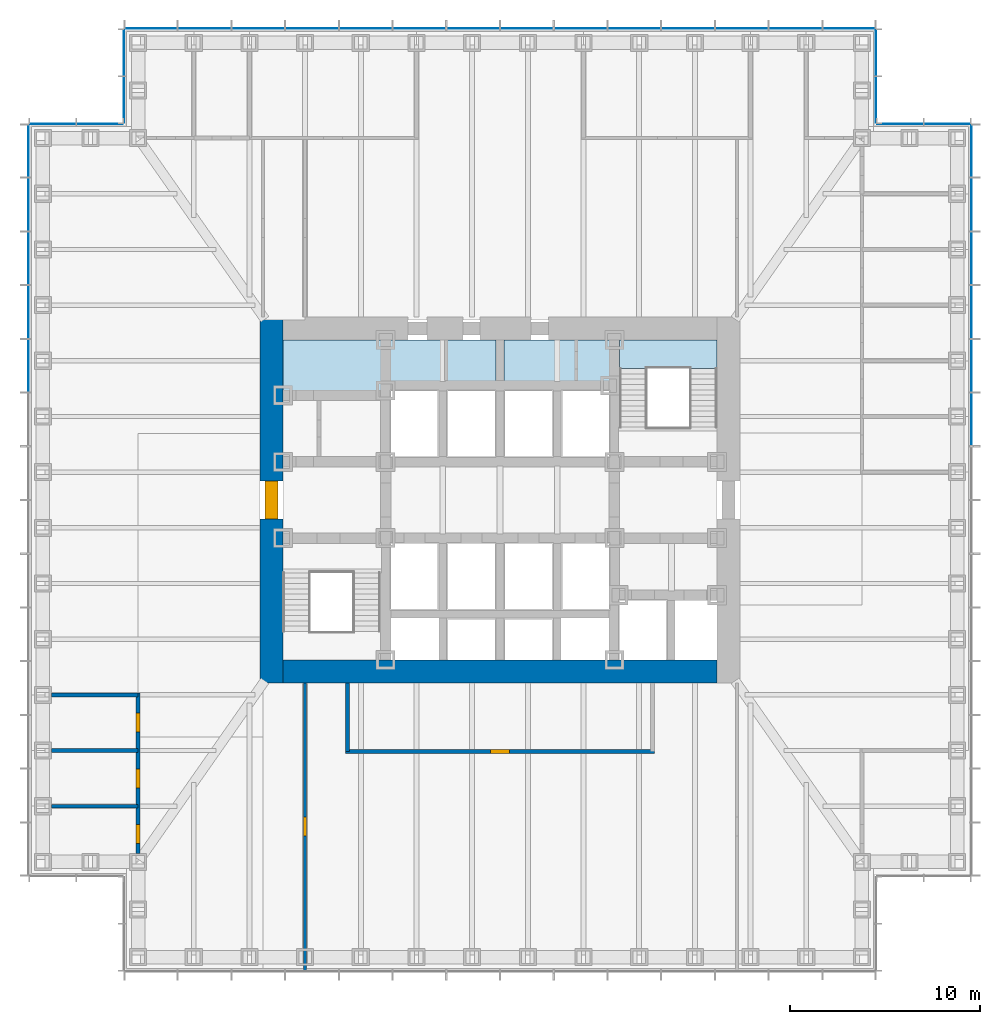
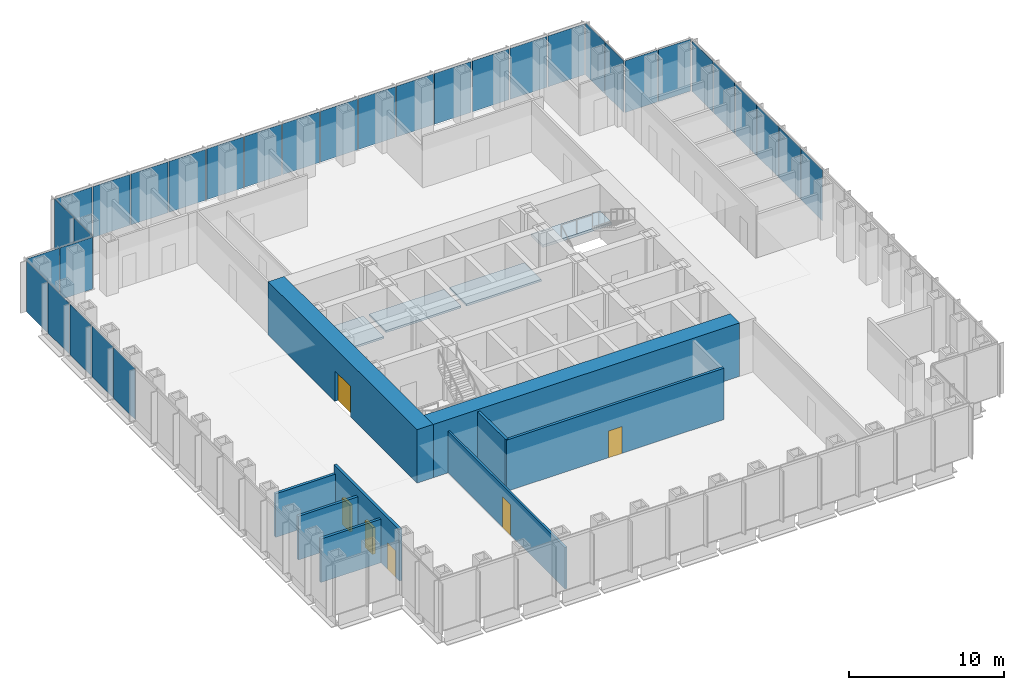
# One storey, part 8 of 17: 33 plates, 9 walls, 6 doors, 4 slabs, 6 openings, 8 elements without a shape of their own.
"""IFC4 building model written with IfcOpenShell, lengths in metres."""

import ifcopenshell
import ifcopenshell.guid

model = None  # the IFC model being written
_history = None  # IfcOwnerHistory: only IFC2X3 demands one
_inside = {}  # id of a spatial element -> (the spatial element, [elements in it])
_under = {}  # id of a project, library or spatial element -> (it, [spatial elements below it])
_declared = {}  # id of a project -> (the project, [libraries it declares])
_typed = {}  # id of a type object -> (the type object, [elements of that type])
_made_of = {}  # id of a material, layer set ... -> (it, [elements and type objects made of it])


def new_model(schema):
    """Start an empty IFC model of exactly this schema.

    Asked for "IFC4X3", IfcOpenShell would pick the latest addendum, in which some entities
    have other attributes; the version numbers below select the first issue.
    IFC2X3 requires an IfcOwnerHistory on every rooted entity: one is made here for all.
    """
    global model, _history
    if schema == "IFC4X3":
        model = ifcopenshell.file(schema_version=(4, 3, 0, 0))
    else:
        model = ifcopenshell.file(schema=schema)
    _inside.clear()
    _under.clear()
    _declared.clear()
    _typed.clear()
    _made_of.clear()
    _history = None
    if model.schema == "IFC2X3":
        org = make("IfcOrganization", Name="unknown")
        user = make(
            "IfcPersonAndOrganization",
            ThePerson=make("IfcPerson", FamilyName="unknown"),
            TheOrganization=org,
        )
        app = make(
            "IfcApplication",
            ApplicationDeveloper=org,
            Version="unknown",
            ApplicationFullName="unknown",
            ApplicationIdentifier="unknown",
        )
        _history = make(
            "IfcOwnerHistory",
            OwningUser=user,
            OwningApplication=app,
            ChangeAction="ADDED",
            CreationDate=0,
        )
    return model


def make(cls, **values):
    """One entity of the class cls with the attributes given. An attribute that is None is left unset."""
    return model.create_entity(
        cls, **{name: value for name, value in values.items() if value is not None}
    )


def rooted(cls, **values):
    """An entity with a GlobalId (a new one), such as an element, a storey or a relation."""
    return make(cls, GlobalId=ifcopenshell.guid.new(), OwnerHistory=_history, **values)


def si_unit(unit_type, name, prefix=None):
    """IfcSIUnit, for example si_unit("LENGTHUNIT", "METRE", prefix="MILLI")."""
    return make("IfcSIUnit", UnitType=unit_type, Prefix=prefix, Name=name)


def assignment(units):
    """IfcUnitAssignment: the units of a project."""
    return None if units is None else make("IfcUnitAssignment", Units=units)


def point(xyz):
    """IfcCartesianPoint."""
    return None if xyz is None else make("IfcCartesianPoint", Coordinates=xyz)


def direction(xyz):
    """IfcDirection."""
    return None if xyz is None else make("IfcDirection", DirectionRatios=xyz)


def frame(location, z_axis=None, x_axis=None):
    """IfcAxis2Placement3D, a coordinate frame: its origin and axes. An axis left out is left unset."""
    return make(
        "IfcAxis2Placement3D",
        Location=point(location),
        Axis=direction(z_axis),
        RefDirection=direction(x_axis),
    )


def frame_2d(location, x_axis=None):
    """IfcAxis2Placement2D, a coordinate frame in the plane: its origin and x axis."""
    return make(
        "IfcAxis2Placement2D", Location=point(location), RefDirection=direction(x_axis)
    )


def origin():
    """The frame at (0, 0, 0) with its axes left unset."""
    return frame((0.0, 0.0, 0.0))


def origin_2d():
    """The frame at (0, 0) in the plane with its x axis left unset."""
    return frame_2d((0.0, 0.0))


def place(relative_to, where):
    """IfcLocalPlacement: puts the frame where relative to a parent placement (None: the world)."""
    return make(
        "IfcLocalPlacement", PlacementRelTo=relative_to, RelativePlacement=where
    )


def context(
    kind, dimensions, precision=None, world=None, true_north=None, identifier=None
):
    """IfcGeometricRepresentationContext, for example the 3D "Model" context."""
    return make(
        "IfcGeometricRepresentationContext",
        ContextIdentifier=identifier,
        ContextType=kind,
        CoordinateSpaceDimension=dimensions,
        Precision=precision,
        WorldCoordinateSystem=world,
        TrueNorth=true_north,
    )


def subcontext(parent, identifier, kind, view, scale=None):
    """IfcGeometricRepresentationSubContext, for example "Body" below "Model"."""
    return make(
        "IfcGeometricRepresentationSubContext",
        ContextIdentifier=identifier,
        ContextType=kind,
        ParentContext=parent,
        TargetScale=scale,
        TargetView=view,
    )


def project(units=None, contexts=None):
    """IfcProject with its units and contexts."""
    return rooted(
        "IfcProject",
        Name="project",
        RepresentationContexts=contexts,
        UnitsInContext=assignment(units),
    )


def spatial(cls, under=None, at=None, **own):
    """A site, building, storey or space (cls), placed at a placement, below another one or the project."""
    s = rooted(cls, ObjectPlacement=at, **own)
    if under is not None:
        _under.setdefault(under.id(), (under, []))[1].append(s)
    return s


def polyline(points):
    """IfcPolyline through the points."""
    return make("IfcPolyline", Points=[point(p) for p in points])


def profile(cls, at=None, kind="AREA", **sizes):
    """A parametric profile (cls). Its sizes go by their IFC names, for example OverallWidth=200.0."""
    return make(cls, ProfileType=kind, Position=at, **sizes)


def rectangle(**sizes):
    """IfcRectangleProfileDef."""
    return profile("IfcRectangleProfileDef", **sizes)


def outline(outer, holes=None, kind="AREA"):
    """IfcArbitraryClosedProfileDef: a profile drawn as a closed curve; with holes, ...WithVoids."""
    if holes is None:
        return make("IfcArbitraryClosedProfileDef", ProfileType=kind, OuterCurve=outer)
    return make(
        "IfcArbitraryProfileDefWithVoids",
        ProfileType=kind,
        OuterCurve=outer,
        InnerCurves=holes,
    )


def extrude(swept, where, along, depth):
    """IfcExtrudedAreaSolid: the profile swept, set in the frame where, extruded along a direction by depth."""
    return make(
        "IfcExtrudedAreaSolid",
        SweptArea=swept,
        Position=where,
        ExtrudedDirection=direction(along),
        Depth=depth,
    )


def shape(context_of_items, identifier, shape_type, items):
    """IfcShapeRepresentation: the items that make up one representation, for example the "Body"."""
    return make(
        "IfcShapeRepresentation",
        ContextOfItems=context_of_items,
        RepresentationIdentifier=identifier,
        RepresentationType=shape_type,
        Items=items,
    )


def material(Name=None, Category=None):
    """IfcMaterial."""
    return make("IfcMaterial", Name=Name, Category=Category)


def layer(
    of_material, thickness, ventilated=None, Name=None, Category=None, Priority=None
):
    """IfcMaterialLayer: one layer of a wall or slab, of a material (None: an air gap)."""
    return make(
        "IfcMaterialLayer",
        Material=of_material,
        LayerThickness=thickness,
        IsVentilated=ventilated,
        Name=Name,
        Category=Category,
        Priority=Priority,
    )


def layer_set(layers, Name=None):
    """IfcMaterialLayerSet."""
    return make("IfcMaterialLayerSet", MaterialLayers=layers, LayerSetName=Name)


def made_of(thing, what):
    """Note that an element or type object is made of a material, layer set ...; save() writes the relation."""
    if what is not None:
        _made_of.setdefault(what.id(), (what, []))[1].append(thing)
    return thing


def type_object(cls, material=None, **own):
    """A type object (cls), such as IfcWallType, which elements share."""
    return made_of(rooted(cls, **own), material)


def element(
    cls,
    number,
    at=None,
    inside=None,
    cuts=None,
    type_object=None,
    material=None,
    context=None,
    identifier="Body",
    shape_type=None,
    held_by="IfcProductDefinitionShape",
    body=None,
    shapes=None,
    **own,
):
    """One element of the class cls, such as IfcWall. Its Tag is "e" and its number.

    at: its placement. inside: the storey or other place that contains it. cuts: it is an
    opening in that element (IfcRelVoidsElement). A single representation is given by context,
    identifier, shape_type and body (its items); several are given by shapes. held_by: the class
    of the entity that holds the representations. save() writes the other relations.
    """
    e = rooted(cls, Tag="e%d" % number, ObjectPlacement=at, **own)
    if body is not None:
        shapes = [shape(context, identifier, shape_type, body)]
    if shapes is not None:
        e.Representation = make(held_by, Representations=shapes)
    if inside is not None:
        _inside.setdefault(inside.id(), (inside, []))[1].append(e)
    if cuts is not None:
        rooted(
            "IfcRelVoidsElement", RelatingBuildingElement=cuts, RelatedOpeningElement=e
        )
    if type_object is not None:
        _typed.setdefault(type_object.id(), (type_object, []))[1].append(e)
    return made_of(e, material)


def fill(opening, filler):
    """IfcRelFillsElement: the door or window that sits in an opening."""
    return rooted(
        "IfcRelFillsElement",
        RelatingOpeningElement=opening,
        RelatedBuildingElement=filler,
    )


def aggregate(whole, parts):
    """IfcRelAggregates: a whole, such as a stair, and the parts it consists of."""
    return rooted("IfcRelAggregates", RelatingObject=whole, RelatedObjects=parts)


def save(model, path):
    """Write the relations noted so far, then the file.

    IfcRelAggregates (storeys below a building ...), IfcRelContainedInSpatialStructure (elements
    in a storey), IfcRelDefinesByType, IfcRelAssociatesMaterial and IfcRelDeclares: one each for
    every whole, place, type object, material and project.
    """
    for whole, parts in _under.values():
        aggregate(whole, parts)
    for where, things in _inside.values():
        rooted(
            "IfcRelContainedInSpatialStructure",
            RelatedElements=things,
            RelatingStructure=where,
        )
    for kind, things in _typed.values():
        rooted("IfcRelDefinesByType", RelatedObjects=things, RelatingType=kind)
    for what, things in _made_of.values():
        rooted("IfcRelAssociatesMaterial", RelatedObjects=things, RelatingMaterial=what)
    for by, libraries in _declared.values():
        rooted("IfcRelDeclares", RelatingContext=by, RelatedDefinitions=libraries)
    model.write(path)


model = new_model("IFC4")

# Units and contexts
model_context = context("Model", 3, precision=1e-05, world=origin(), true_north=direction((0.0, 1.0)))
body_context = subcontext(model_context, "Body", "Model", "MODEL_VIEW")
ifc_project = project(units=[si_unit("LENGTHUNIT", "METRE"), si_unit("AREAUNIT", "SQUARE_METRE"), si_unit("VOLUMEUNIT", "CUBIC_METRE"), si_unit("PLANEANGLEUNIT", "RADIAN"), si_unit("MASSUNIT", "GRAM", prefix="KILO")], contexts=[model_context])

# Site, building, storey
site_placement = place(None, origin())
site = spatial("IfcSite", under=ifc_project, at=site_placement, CompositionType="ELEMENT")
building_placement = place(site_placement, origin())
building = spatial("IfcBuilding", under=site, at=building_placement, Name="Daluyong Arena Tower", CompositionType="ELEMENT")
storey_placement = place(building_placement, frame((0.0, 0.0, 55.89990234375)))
storey = spatial("IfcBuildingStorey", under=building, at=storey_placement, Name="L11", CompositionType="ELEMENT", Elevation=55.89990234375)

# Curtain wall, plates
ifc_material_1 = material(Name="Bronze anodised aluminium and glass", Category="aluminium")
curtain_wall_type_1 = type_object("IfcCurtainWallType", Name="Curtain wall CW1", PredefinedType="USERDEFINED", material=ifc_material_1)
curtain_wall_1_placement = place(storey_placement, origin())
curtain_wall_1 = element("IfcCurtainWall", 1, at=curtain_wall_1_placement, inside=storey, type_object=curtain_wall_type_1, Name="curtain wall L11 E", ObjectType="UNITISED CURTAIN WALL", PredefinedType="USERDEFINED")
ifc_material_2 = material(Name="Tinted double glazed unit", Category="glass")
ifc_layer_1 = layer(ifc_material_2, 0.031982421875)
ifc_layer_set_1 = layer_set([ifc_layer_1], Name="Tinted double glazed unit")
plate_type_1 = type_object("IfcPlateType", Name="CW1 panel 32", PredefinedType="CURTAIN_PANEL", material=ifc_layer_set_1)
plate_1_placement = place(storey_placement, frame((80.75, 84.232177734375, 0.0), z_axis=(0.0, 0.0, 1.0), x_axis=(0.0, 1.0, 0.0)))
plate_1 = element("IfcPlate", 2, at=plate_1_placement, type_object=plate_type_1, Name="curtain wall L11 E panel 9", PredefinedType="CURTAIN_PANEL", context=body_context, shape_type="SweptSolid", body=[
    extrude(rectangle(XDim=2.741455078125, YDim=0.031982421875, at=origin_2d()), origin(), (0.0, 0.0, 1.0), 4.0),
])
plate_2_placement = place(storey_placement, frame((80.75, 87.053466796875, 0.0), z_axis=(0.0, 0.0, 1.0), x_axis=(0.0, 1.0, 0.0)))
plate_2 = element("IfcPlate", 3, at=plate_2_placement, type_object=plate_type_1, Name="curtain wall L11 E panel 10", PredefinedType="CURTAIN_PANEL", context=body_context, shape_type="SweptSolid", body=[
    extrude(rectangle(XDim=2.741455078125, YDim=0.031982421875, at=origin_2d()), origin(), (0.0, 0.0, 1.0), 4.0),
])
plate_3_placement = place(storey_placement, frame((80.75, 89.875, 0.0), z_axis=(0.0, 0.0, 1.0), x_axis=(0.0, 1.0, 0.0)))
plate_3 = element("IfcPlate", 4, at=plate_3_placement, type_object=plate_type_1, Name="curtain wall L11 E panel 11", PredefinedType="CURTAIN_PANEL", context=body_context, shape_type="SweptSolid", body=[
    extrude(rectangle(XDim=2.741455078125, YDim=0.031982421875, at=origin_2d()), origin(), (0.0, 0.0, 1.0), 4.0),
])
plate_4_placement = place(storey_placement, frame((80.75, 92.696533203125, 0.0), z_axis=(0.0, 0.0, 1.0), x_axis=(0.0, 1.0, 0.0)))
plate_4 = element("IfcPlate", 5, at=plate_4_placement, type_object=plate_type_1, Name="curtain wall L11 E panel 12", PredefinedType="CURTAIN_PANEL", context=body_context, shape_type="SweptSolid", body=[
    extrude(rectangle(XDim=2.741455078125, YDim=0.031982421875, at=origin_2d()), origin(), (0.0, 0.0, 1.0), 4.0),
])
plate_5_placement = place(storey_placement, frame((80.75, 95.517822265625, 0.0), z_axis=(0.0, 0.0, 1.0), x_axis=(0.0, 1.0, 0.0)))
plate_5 = element("IfcPlate", 6, at=plate_5_placement, type_object=plate_type_1, Name="curtain wall L11 E panel 13", PredefinedType="CURTAIN_PANEL", context=body_context, shape_type="SweptSolid", body=[
    extrude(rectangle(XDim=2.741455078125, YDim=0.031982421875, at=origin_2d()), origin(), (0.0, 0.0, 1.0), 4.0),
])
plate_6_placement = place(storey_placement, frame((80.75, 98.3193359375, 0.0), z_axis=(0.0, 0.0, 1.0), x_axis=(0.0, 1.0, 0.0)))
plate_6 = element("IfcPlate", 7, at=plate_6_placement, type_object=plate_type_1, Name="curtain wall L11 E panel 14", PredefinedType="CURTAIN_PANEL", context=body_context, shape_type="SweptSolid", body=[
    extrude(rectangle(XDim=2.701416015625, YDim=0.031982421875, at=origin_2d()), origin(), (0.0, 0.0, 1.0), 4.0),
])
aggregate(curtain_wall_1, [plate_1, plate_2, plate_3, plate_4, plate_5, plate_6])

curtain_wall_2_placement = place(storey_placement, origin())
curtain_wall_2 = element("IfcCurtainWall", 8, at=curtain_wall_2_placement, inside=storey, type_object=curtain_wall_type_1, Name="curtain wall L11 N", ObjectType="UNITISED CURTAIN WALL", PredefinedType="USERDEFINED")
plate_7_placement = place(storey_placement, frame((74.3193359375, 104.75, 0.0), z_axis=(0.0, 0.0, 1.0), x_axis=(-1.0, 0.0, 0.0)))
plate_7 = element("IfcPlate", 9, at=plate_7_placement, type_object=plate_type_1, Name="curtain wall L11 N panel 1", PredefinedType="CURTAIN_PANEL", context=body_context, shape_type="SweptSolid", body=[
    extrude(rectangle(XDim=2.701416015625, YDim=0.031982421875, at=origin_2d()), origin(), (0.0, 0.0, 1.0), 4.0),
])
plate_8_placement = place(storey_placement, frame((71.517822265625, 104.75, 0.0), z_axis=(0.0, 0.0, 1.0), x_axis=(-1.0, 0.0, 0.0)))
plate_8 = element("IfcPlate", 10, at=plate_8_placement, type_object=plate_type_1, Name="curtain wall L11 N panel 2", PredefinedType="CURTAIN_PANEL", context=body_context, shape_type="SweptSolid", body=[
    extrude(rectangle(XDim=2.741455078125, YDim=0.031982421875, at=origin_2d()), origin(), (0.0, 0.0, 1.0), 4.0),
])
plate_9_placement = place(storey_placement, frame((68.696533203125, 104.75, 0.0), z_axis=(0.0, 0.0, 1.0), x_axis=(-1.0, 0.0, 0.0)))
plate_9 = element("IfcPlate", 11, at=plate_9_placement, type_object=plate_type_1, Name="curtain wall L11 N panel 3", PredefinedType="CURTAIN_PANEL", context=body_context, shape_type="SweptSolid", body=[
    extrude(rectangle(XDim=2.741455078125, YDim=0.031982421875, at=origin_2d()), origin(), (0.0, 0.0, 1.0), 4.0),
])
plate_10_placement = place(storey_placement, frame((65.875, 104.75, 0.0), z_axis=(0.0, 0.0, 1.0), x_axis=(-1.0, 0.0, 0.0)))
plate_10 = element("IfcPlate", 12, at=plate_10_placement, type_object=plate_type_1, Name="curtain wall L11 N panel 4", PredefinedType="CURTAIN_PANEL", context=body_context, shape_type="SweptSolid", body=[
    extrude(rectangle(XDim=2.741455078125, YDim=0.031982421875, at=origin_2d()), origin(), (0.0, 0.0, 1.0), 4.0),
])
plate_11_placement = place(storey_placement, frame((63.053466796875, 104.75, 0.0), z_axis=(0.0, 0.0, 1.0), x_axis=(-1.0, 0.0, 0.0)))
plate_11 = element("IfcPlate", 13, at=plate_11_placement, type_object=plate_type_1, Name="curtain wall L11 N panel 5", PredefinedType="CURTAIN_PANEL", context=body_context, shape_type="SweptSolid", body=[
    extrude(rectangle(XDim=2.741455078125, YDim=0.031982421875, at=origin_2d()), origin(), (0.0, 0.0, 1.0), 4.0),
])
plate_12_placement = place(storey_placement, frame((60.232177734375, 104.75, 0.0), z_axis=(0.0, 0.0, 1.0), x_axis=(-1.0, 0.0, 0.0)))
plate_12 = element("IfcPlate", 14, at=plate_12_placement, type_object=plate_type_1, Name="curtain wall L11 N panel 6", PredefinedType="CURTAIN_PANEL", context=body_context, shape_type="SweptSolid", body=[
    extrude(rectangle(XDim=2.741455078125, YDim=0.031982421875, at=origin_2d()), origin(), (0.0, 0.0, 1.0), 4.0),
])
plate_13_placement = place(storey_placement, frame((57.41064453125, 104.75, 0.0), z_axis=(0.0, 0.0, 1.0), x_axis=(-1.0, 0.0, 0.0)))
plate_13 = element("IfcPlate", 15, at=plate_13_placement, type_object=plate_type_1, Name="curtain wall L11 N panel 7", PredefinedType="CURTAIN_PANEL", context=body_context, shape_type="SweptSolid", body=[
    extrude(rectangle(XDim=2.741455078125, YDim=0.031982421875, at=origin_2d()), origin(), (0.0, 0.0, 1.0), 4.0),
])
plate_14_placement = place(storey_placement, frame((54.58935546875, 104.75, 0.0), z_axis=(0.0, 0.0, 1.0), x_axis=(-1.0, 0.0, 0.0)))
plate_14 = element("IfcPlate", 16, at=plate_14_placement, type_object=plate_type_1, Name="curtain wall L11 N panel 8", PredefinedType="CURTAIN_PANEL", context=body_context, shape_type="SweptSolid", body=[
    extrude(rectangle(XDim=2.741455078125, YDim=0.031982421875, at=origin_2d()), origin(), (0.0, 0.0, 1.0), 4.0),
])
plate_15_placement = place(storey_placement, frame((51.767822265625, 104.75, 0.0), z_axis=(0.0, 0.0, 1.0), x_axis=(-1.0, 0.0, 0.0)))
plate_15 = element("IfcPlate", 17, at=plate_15_placement, type_object=plate_type_1, Name="curtain wall L11 N panel 9", PredefinedType="CURTAIN_PANEL", context=body_context, shape_type="SweptSolid", body=[
    extrude(rectangle(XDim=2.741455078125, YDim=0.031982421875, at=origin_2d()), origin(), (0.0, 0.0, 1.0), 4.0),
])
plate_16_placement = place(storey_placement, frame((48.946533203125, 104.75, 0.0), z_axis=(0.0, 0.0, 1.0), x_axis=(-1.0, 0.0, 0.0)))
plate_16 = element("IfcPlate", 18, at=plate_16_placement, type_object=plate_type_1, Name="curtain wall L11 N panel 10", PredefinedType="CURTAIN_PANEL", context=body_context, shape_type="SweptSolid", body=[
    extrude(rectangle(XDim=2.741455078125, YDim=0.031982421875, at=origin_2d()), origin(), (0.0, 0.0, 1.0), 4.0),
])
plate_17_placement = place(storey_placement, frame((46.125, 104.75, 0.0), z_axis=(0.0, 0.0, 1.0), x_axis=(-1.0, 0.0, 0.0)))
plate_17 = element("IfcPlate", 19, at=plate_17_placement, type_object=plate_type_1, Name="curtain wall L11 N panel 11", PredefinedType="CURTAIN_PANEL", context=body_context, shape_type="SweptSolid", body=[
    extrude(rectangle(XDim=2.741455078125, YDim=0.031982421875, at=origin_2d()), origin(), (0.0, 0.0, 1.0), 4.0),
])
plate_18_placement = place(storey_placement, frame((43.303466796875, 104.75, 0.0), z_axis=(0.0, 0.0, 1.0), x_axis=(-1.0, 0.0, 0.0)))
plate_18 = element("IfcPlate", 20, at=plate_18_placement, type_object=plate_type_1, Name="curtain wall L11 N panel 12", PredefinedType="CURTAIN_PANEL", context=body_context, shape_type="SweptSolid", body=[
    extrude(rectangle(XDim=2.741455078125, YDim=0.031982421875, at=origin_2d()), origin(), (0.0, 0.0, 1.0), 4.0),
])
plate_19_placement = place(storey_placement, frame((40.482177734375, 104.75, 0.0), z_axis=(0.0, 0.0, 1.0), x_axis=(-1.0, 0.0, 0.0)))
plate_19 = element("IfcPlate", 21, at=plate_19_placement, type_object=plate_type_1, Name="curtain wall L11 N panel 13", PredefinedType="CURTAIN_PANEL", context=body_context, shape_type="SweptSolid", body=[
    extrude(rectangle(XDim=2.741455078125, YDim=0.031982421875, at=origin_2d()), origin(), (0.0, 0.0, 1.0), 4.0),
])
plate_20_placement = place(storey_placement, frame((37.6806640625, 104.75, 0.0), z_axis=(0.0, 0.0, 1.0), x_axis=(-1.0, 0.0, 0.0)))
plate_20 = element("IfcPlate", 22, at=plate_20_placement, type_object=plate_type_1, Name="curtain wall L11 N panel 14", PredefinedType="CURTAIN_PANEL", context=body_context, shape_type="SweptSolid", body=[
    extrude(rectangle(XDim=2.701416015625, YDim=0.031982421875, at=origin_2d()), origin(), (0.0, 0.0, 1.0), 4.0),
])
aggregate(curtain_wall_2, [plate_7, plate_8, plate_9, plate_10, plate_11, plate_12, plate_13, plate_14, plate_15, plate_16, plate_17, plate_18, plate_19, plate_20])

curtain_wall_3_placement = place(storey_placement, origin())
curtain_wall_3 = element("IfcCurtainWall", 23, at=curtain_wall_3_placement, inside=storey, type_object=curtain_wall_type_1, Name="curtain wall L11 W", ObjectType="UNITISED CURTAIN WALL", PredefinedType="USERDEFINED")
plate_21_placement = place(storey_placement, frame((31.25, 98.3193359375, 0.0), z_axis=(0.0, 0.0, 1.0), x_axis=(0.0, -1.0, 0.0)))
plate_21 = element("IfcPlate", 24, at=plate_21_placement, type_object=plate_type_1, Name="curtain wall L11 W panel 1", PredefinedType="CURTAIN_PANEL", context=body_context, shape_type="SweptSolid", body=[
    extrude(rectangle(XDim=2.701416015625, YDim=0.031982421875, at=origin_2d()), origin(), (0.0, 0.0, 1.0), 4.0),
])
plate_22_placement = place(storey_placement, frame((31.25, 95.517822265625, 0.0), z_axis=(0.0, 0.0, 1.0), x_axis=(0.0, -1.0, 0.0)))
plate_22 = element("IfcPlate", 25, at=plate_22_placement, type_object=plate_type_1, Name="curtain wall L11 W panel 2", PredefinedType="CURTAIN_PANEL", context=body_context, shape_type="SweptSolid", body=[
    extrude(rectangle(XDim=2.741455078125, YDim=0.031982421875, at=origin_2d()), origin(), (0.0, 0.0, 1.0), 4.0),
])
plate_23_placement = place(storey_placement, frame((31.25, 92.696533203125, 0.0), z_axis=(0.0, 0.0, 1.0), x_axis=(0.0, -1.0, 0.0)))
plate_23 = element("IfcPlate", 26, at=plate_23_placement, type_object=plate_type_1, Name="curtain wall L11 W panel 3", PredefinedType="CURTAIN_PANEL", context=body_context, shape_type="SweptSolid", body=[
    extrude(rectangle(XDim=2.741455078125, YDim=0.031982421875, at=origin_2d()), origin(), (0.0, 0.0, 1.0), 4.0),
])
plate_24_placement = place(storey_placement, frame((31.25, 89.875, 0.0), z_axis=(0.0, 0.0, 1.0), x_axis=(0.0, -1.0, 0.0)))
plate_24 = element("IfcPlate", 27, at=plate_24_placement, type_object=plate_type_1, Name="curtain wall L11 W panel 4", PredefinedType="CURTAIN_PANEL", context=body_context, shape_type="SweptSolid", body=[
    extrude(rectangle(XDim=2.741455078125, YDim=0.031982421875, at=origin_2d()), origin(), (0.0, 0.0, 1.0), 4.0),
])
plate_25_placement = place(storey_placement, frame((31.25, 87.053466796875, 0.0), z_axis=(0.0, 0.0, 1.0), x_axis=(0.0, -1.0, 0.0)))
plate_25 = element("IfcPlate", 28, at=plate_25_placement, type_object=plate_type_1, Name="curtain wall L11 W panel 5", PredefinedType="CURTAIN_PANEL", context=body_context, shape_type="SweptSolid", body=[
    extrude(rectangle(XDim=2.741455078125, YDim=0.031982421875, at=origin_2d()), origin(), (0.0, 0.0, 1.0), 4.0),
])
aggregate(curtain_wall_3, [plate_21, plate_22, plate_23, plate_24, plate_25])

ifc_material_3 = material(Name="Bronze anodised aluminium and glass", Category="aluminium")
curtain_wall_type_2 = type_object("IfcCurtainWallType", Name="Curtain wall CW7", PredefinedType="USERDEFINED", material=ifc_material_3)
curtain_wall_4_placement = place(storey_placement, origin())
curtain_wall_4 = element("IfcCurtainWall", 29, at=curtain_wall_4_placement, inside=storey, type_object=curtain_wall_type_2, Name="curtain wall L11 NE-N", ObjectType="UNITISED CURTAIN WALL", PredefinedType="USERDEFINED")
ifc_material_4 = material(Name="Tinted double glazed unit", Category="glass")
ifc_layer_2 = layer(ifc_material_4, 0.028076171875)
ifc_layer_set_2 = layer_set([ifc_layer_2], Name="Tinted double glazed unit")
plate_type_2 = type_object("IfcPlateType", Name="CW7 panel 28", PredefinedType="CURTAIN_PANEL", material=ifc_layer_set_2)
plate_26_placement = place(storey_placement, frame((79.485107421875, 99.75, 0.0), z_axis=(0.0, 0.0, 1.0), x_axis=(-1.0, 0.0, 0.0)))
plate_26 = element("IfcPlate", 30, at=plate_26_placement, type_object=plate_type_2, Name="curtain wall L11 NE-N panel 1", PredefinedType="CURTAIN_PANEL", context=body_context, shape_type="SweptSolid", body=[
    extrude(rectangle(XDim=2.409912109375, YDim=0.028076171875, at=origin_2d()), origin(), (0.0, 0.0, 1.0), 4.080078125),
])
plate_27_placement = place(storey_placement, frame((77.014892578125, 99.75, 0.0), z_axis=(0.0, 0.0, 1.0), x_axis=(-1.0, 0.0, 0.0)))
plate_27 = element("IfcPlate", 31, at=plate_27_placement, type_object=plate_type_2, Name="curtain wall L11 NE-N panel 2", PredefinedType="CURTAIN_PANEL", context=body_context, shape_type="SweptSolid", body=[
    extrude(rectangle(XDim=2.409912109375, YDim=0.028076171875, at=origin_2d()), origin(), (0.0, 0.0, 1.0), 4.080078125),
])
aggregate(curtain_wall_4, [plate_26, plate_27])

curtain_wall_5_placement = place(storey_placement, origin())
curtain_wall_5 = element("IfcCurtainWall", 32, at=curtain_wall_5_placement, inside=storey, type_object=curtain_wall_type_2, Name="curtain wall L11 NE-E", ObjectType="UNITISED CURTAIN WALL", PredefinedType="USERDEFINED")
plate_28_placement = place(storey_placement, frame((75.75, 101.014892578125, 0.0), z_axis=(0.0, 0.0, 1.0), x_axis=(0.0, 1.0, 0.0)))
plate_28 = element("IfcPlate", 33, at=plate_28_placement, type_object=plate_type_2, Name="curtain wall L11 NE-E panel 1", PredefinedType="CURTAIN_PANEL", context=body_context, shape_type="SweptSolid", body=[
    extrude(rectangle(XDim=2.409912109375, YDim=0.028076171875, at=origin_2d()), origin(), (0.0, 0.0, 1.0), 4.080078125),
])
plate_29_placement = place(storey_placement, frame((75.75, 103.485107421875, 0.0), z_axis=(0.0, 0.0, 1.0), x_axis=(0.0, 1.0, 0.0)))
plate_29 = element("IfcPlate", 34, at=plate_29_placement, type_object=plate_type_2, Name="curtain wall L11 NE-E panel 2", PredefinedType="CURTAIN_PANEL", context=body_context, shape_type="SweptSolid", body=[
    extrude(rectangle(XDim=2.409912109375, YDim=0.028076171875, at=origin_2d()), origin(), (0.0, 0.0, 1.0), 4.080078125),
])
aggregate(curtain_wall_5, [plate_28, plate_29])

curtain_wall_6_placement = place(storey_placement, origin())
curtain_wall_6 = element("IfcCurtainWall", 35, at=curtain_wall_6_placement, inside=storey, type_object=curtain_wall_type_2, Name="curtain wall L11 NW-W", ObjectType="UNITISED CURTAIN WALL", PredefinedType="USERDEFINED")
plate_30_placement = place(storey_placement, frame((36.25, 103.485107421875, 0.0), z_axis=(0.0, 0.0, 1.0), x_axis=(0.0, -1.0, 0.0)))
plate_30 = element("IfcPlate", 36, at=plate_30_placement, type_object=plate_type_2, Name="curtain wall L11 NW-W panel 1", PredefinedType="CURTAIN_PANEL", context=body_context, shape_type="SweptSolid", body=[
    extrude(rectangle(XDim=2.409912109375, YDim=0.028076171875, at=origin_2d()), origin(), (0.0, 0.0, 1.0), 4.080078125),
])
plate_31_placement = place(storey_placement, frame((36.25, 101.014892578125, 0.0), z_axis=(0.0, 0.0, 1.0), x_axis=(0.0, -1.0, 0.0)))
plate_31 = element("IfcPlate", 37, at=plate_31_placement, type_object=plate_type_2, Name="curtain wall L11 NW-W panel 2", PredefinedType="CURTAIN_PANEL", context=body_context, shape_type="SweptSolid", body=[
    extrude(rectangle(XDim=2.409912109375, YDim=0.028076171875, at=origin_2d()), origin(), (0.0, 0.0, 1.0), 4.080078125),
])
aggregate(curtain_wall_6, [plate_30, plate_31])

curtain_wall_7_placement = place(storey_placement, origin())
curtain_wall_7 = element("IfcCurtainWall", 38, at=curtain_wall_7_placement, inside=storey, type_object=curtain_wall_type_2, Name="curtain wall L11 NW-N", ObjectType="UNITISED CURTAIN WALL", PredefinedType="USERDEFINED")
plate_32_placement = place(storey_placement, frame((34.985107421875, 99.75, 0.0), z_axis=(0.0, 0.0, 1.0), x_axis=(-1.0, 0.0, 0.0)))
plate_32 = element("IfcPlate", 39, at=plate_32_placement, type_object=plate_type_2, Name="curtain wall L11 NW-N panel 1", PredefinedType="CURTAIN_PANEL", context=body_context, shape_type="SweptSolid", body=[
    extrude(rectangle(XDim=2.409912109375, YDim=0.028076171875, at=origin_2d()), origin(), (0.0, 0.0, 1.0), 4.080078125),
])
plate_33_placement = place(storey_placement, frame((32.514892578125, 99.75, 0.0), z_axis=(0.0, 0.0, 1.0), x_axis=(-1.0, 0.0, 0.0)))
plate_33 = element("IfcPlate", 40, at=plate_33_placement, type_object=plate_type_2, Name="curtain wall L11 NW-N panel 2", PredefinedType="CURTAIN_PANEL", context=body_context, shape_type="SweptSolid", body=[
    extrude(rectangle(XDim=2.409912109375, YDim=0.028076171875, at=origin_2d()), origin(), (0.0, 0.0, 1.0), 4.080078125),
])
aggregate(curtain_wall_7, [plate_32, plate_33])

# Stair, slab
ifc_material_5 = material(Name="Concrete fc' 35 MPa", Category="concrete")
stair_type = type_object("IfcStairType", Name="Core exit stair", PredefinedType="HALF_TURN_STAIR", material=ifc_material_5)
stair_placement = place(storey_placement, origin())
stair = element("IfcStair", 41, at=stair_placement, inside=storey, type_object=stair_type, Name="exit stair B L11", PredefinedType="HALF_TURN_STAIR")
ifc_material_6 = material(Name="Concrete fc' 35 MPa", Category="concrete")
ifc_layer_3 = layer(ifc_material_6, 0.199951171875)
ifc_layer_set_3 = layer_set([ifc_layer_3], Name="Concrete fc' 35 MPa")
slab_type_1 = type_object("IfcSlabType", Name="Stair landing 200", PredefinedType="LANDING", material=ifc_layer_set_3)
slab_1_placement = place(storey_placement, frame((0.0, 0.0, 1.900146484375)))
slab_1 = element("IfcSlab", 42, at=slab_1_placement, type_object=slab_type_1, Name="STB landing 1", PredefinedType="LANDING", context=body_context, shape_type="SweptSolid", body=[
    extrude(outline(polyline([(62.27490234375, 86.905029296875), (67.39990234375, 86.905029296875), (67.39990234375, 88.39990234375), (62.27490234375, 88.39990234375), (62.27490234375, 86.905029296875)])), origin(), (0.0, 0.0, 1.0), 0.199951171875),
])
aggregate(stair, [slab_1])

# Slabs
ifc_material_7 = material(Name="Concrete fc' 35 MPa", Category="concrete")
ifc_layer_4 = layer(ifc_material_7, 0.159912109375)
ifc_layer_set_4 = layer_set([ifc_layer_4], Name="Concrete fc' 35 MPa")
slab_type_2 = type_object("IfcSlabType", Name="Tower floor slab 160", PredefinedType="FLOOR", material=ifc_layer_set_4)
slab_2_placement = place(storey_placement, frame((0.0, 0.0, -0.159912109375)))
element("IfcSlab", 43, at=slab_2_placement, inside=storey, type_object=slab_type_2, Name="floor L11 part 4", PredefinedType="FLOOR", context=body_context, shape_type="SweptSolid", body=[
    extrude(outline(polyline([(44.60009765625, 88.39990234375), (44.60009765625, 85.72509765625), (49.77490234375, 85.72509765625), (49.77490234375, 88.39990234375), (44.60009765625, 88.39990234375)])), origin(), (0.0, 0.0, 1.0), 0.159912109375),
])
slab_3_placement = place(storey_placement, frame((0.0, 0.0, -0.159912109375)))
element("IfcSlab", 44, at=slab_3_placement, inside=storey, type_object=slab_type_2, Name="floor L11 part 7", PredefinedType="FLOOR", context=body_context, shape_type="SweptSolid", body=[
    extrude(outline(polyline([(50.22509765625, 88.39990234375), (50.22509765625, 86.22509765625), (55.800048828125, 86.22509765625), (55.800048828125, 88.39990234375), (50.22509765625, 88.39990234375)])), origin(), (0.0, 0.0, 1.0), 0.159912109375),
])
slab_4_placement = place(storey_placement, frame((0.0, 0.0, -0.159912109375)))
element("IfcSlab", 45, at=slab_4_placement, inside=storey, type_object=slab_type_2, Name="floor L11 part 16", PredefinedType="FLOOR", context=body_context, shape_type="SweptSolid", body=[
    extrude(outline(polyline([(56.199951171875, 86.22509765625), (61.77490234375, 86.22509765625), (61.77490234375, 88.39990234375), (56.199951171875, 88.39990234375), (56.199951171875, 86.22509765625)])), origin(), (0.0, 0.0, 1.0), 0.159912109375),
])

# Wall, opening, door
ifc_material_8 = material(Name="Concrete fc' 60 MPa", Category="concrete")
ifc_layer_5 = layer(ifc_material_8, 1.199951171875)
ifc_layer_set_5 = layer_set([ifc_layer_5], Name="Concrete fc' 60 MPa")
wall_type_1 = type_object("IfcWallType", Name="Core wall 1200", PredefinedType="SHEAR", material=ifc_layer_set_5)
wall_1_placement = place(storey_placement, frame((44.0, 70.39990234375, 0.0), z_axis=(0.0, 0.0, 1.0), x_axis=(0.0, 1.0, 0.0)))
wall_1 = element("IfcWall", 46, at=wall_1_placement, inside=storey, type_object=wall_type_1, Name="core wall at L11", PredefinedType="SHEAR", context=body_context, shape_type="SweptSolid", body=[
    extrude(rectangle(XDim=19.2001953125, YDim=1.199951171875, at=frame_2d((9.60009765625, 0.0))), origin(), (0.0, 0.0, 1.0), 4.2001953125),
])
opening_1_placement = place(wall_1_placement, frame((8.60009765625, 0.0, 0.0)))
opening_1 = element("IfcOpeningElement", 47, at=opening_1_placement, cuts=wall_1, Name="Opening 11010", PredefinedType="OPENING", context=body_context, shape_type="SweptSolid", body=[
    extrude(rectangle(XDim=2.0, YDim=2.39990234375, at=frame_2d((1.0, 1.199951171875))), frame((0.0, 0.60986328125, 0.0), z_axis=(0.0, -1.0, 0.0), x_axis=(1.0, 0.0, 0.0)), (0.0, 0.0, 1.0), 1.219970703125),
])
ifc_material_9 = material(Name="Steel door, fire rated", Category="steel")
door_type_1 = type_object("IfcDoorType", Name="Core lobby double door 2000", OperationType="DOUBLE_DOOR_SINGLE_SWING", PredefinedType="DOOR", material=ifc_material_9)
door_1_placement = place(opening_1_placement, origin())
door_1 = element("IfcDoor", 48, at=door_1_placement, inside=storey, type_object=door_type_1, Name="core lobby door west 11010", OperationType="DOUBLE_DOOR_SINGLE_SWING", OverallHeight=2.39990234375, OverallWidth=2.0, PredefinedType="DOOR", context=body_context, shape_type="SweptSolid", body=[
    extrude(rectangle(XDim=2.0, YDim=2.39990234375, at=frame_2d((1.0, 1.199951171875))), frame((0.0, 0.35009765625, 0.0), z_axis=(0.0, -1.0, 0.0), x_axis=(1.0, 0.0, 0.0)), (0.0, 0.0, 1.0), 0.699951171875),
])
fill(opening_1, door_1)

# Wall
wall_2_placement = place(storey_placement, frame((44.60009765625, 71.0, 0.0), z_axis=(0.0, 0.0, 1.0), x_axis=(1.0, 0.0, 0.0)))
element("IfcWall", 49, at=wall_2_placement, inside=storey, type_object=wall_type_1, Name="core wall at L11", PredefinedType="SHEAR", context=body_context, shape_type="SweptSolid", body=[
    extrude(rectangle(XDim=22.7998046875, YDim=1.199951171875, at=frame_2d((11.39990234375, 0.0))), origin(), (0.0, 0.0, 1.0), 4.2001953125),
])

# Wall, opening, door
ifc_material_10 = material(Name="Glazed aluminium partition", Category="aluminium")
ifc_layer_6 = layer(ifc_material_10, 0.14990234375)
ifc_layer_set_6 = layer_set([ifc_layer_6], Name="Glazed aluminium partition")
wall_type_2 = type_object("IfcWallType", Name="Glazed partition 150", PredefinedType="PARTITIONING", material=ifc_layer_set_6)
wall_3_placement = place(storey_placement, frame((45.769287109375, 55.31005859375, 0.0), z_axis=(0.0, 0.0, 1.0), x_axis=(0.0, 1.0, 0.0)))
wall_3 = element("IfcWall", 50, at=wall_3_placement, inside=storey, type_object=wall_type_2, Name="glazed partition at L11", PredefinedType="PARTITIONING", context=body_context, shape_type="SweptSolid", body=[
    extrude(rectangle(XDim=15.08984375, YDim=0.14990234375, at=frame_2d((7.544921875, 0.0))), origin(), (0.0, 0.0, 1.0), 3.278076171875),
])
opening_2_placement = place(wall_3_placement, frame((7.044921875, 0.0, 0.0)))
opening_2 = element("IfcOpeningElement", 51, at=opening_2_placement, cuts=wall_3, Name="Opening 11040", PredefinedType="OPENING", context=body_context, shape_type="SweptSolid", body=[
    extrude(rectangle(XDim=1.0, YDim=2.39990234375, at=frame_2d((0.5, 1.199951171875))), frame((0.0, 0.0849609375, 0.0), z_axis=(0.0, -1.0, 0.0), x_axis=(1.0, 0.0, 0.0)), (0.0, 0.0, 1.0), 0.169921875),
])
ifc_material_11 = material(Name="Glazed aluminium door", Category="aluminium")
door_type_2 = type_object("IfcDoorType", Name="Meeting room glazed door 1000", OperationType="SINGLE_SWING_RIGHT", PredefinedType="DOOR", material=ifc_material_11)
door_2_placement = place(opening_2_placement, origin())
door_2 = element("IfcDoor", 52, at=door_2_placement, inside=storey, type_object=door_type_2, Name="team area screen door 11040", OperationType="SINGLE_SWING_RIGHT", OverallHeight=2.39990234375, OverallWidth=1.0, PredefinedType="DOOR", context=body_context, shape_type="SweptSolid", body=[
    extrude(rectangle(XDim=1.0, YDim=2.39990234375, at=frame_2d((0.5, 1.199951171875))), frame((0.0, 0.07470703125, 0.0), z_axis=(0.0, -1.0, 0.0), x_axis=(1.0, 0.0, 0.0)), (0.0, 0.0, 1.0), 0.1494140625),
])
fill(opening_2, door_2)

# Walls
ifc_material_12 = material(Name="Concrete block partition", Category="concrete")
ifc_layer_7 = layer(ifc_material_12, 0.199951171875)
ifc_layer_set_7 = layer_set([ifc_layer_7], Name="Concrete block partition")
wall_type_3 = type_object("IfcWallType", Name="Partition 200", PredefinedType="PARTITIONING", material=ifc_layer_set_7)
for number, where, z_axis, x_axis, name in (
    (53, (32.449951171875, 63.923095703125, 0.0), (0.0, 0.0, 1.0), (1.0, 0.0, 0.0), "partition at L11"),
    (54, (32.449951171875, 66.84619140625, 0.0), (0.0, 0.0, 1.0), (1.0, 0.0, 0.0), "partition at L11"),
    (55, (32.449951171875, 69.769287109375, 0.0), (0.0, 0.0, 1.0), (1.0, 0.0, 0.0), "partition at L11"),
):
    element("IfcWall", number, at=place(storey_placement, frame(where, z_axis=z_axis, x_axis=x_axis)), inside=storey, type_object=wall_type_3, Name=name, PredefinedType="PARTITIONING", context=body_context, shape_type="SweptSolid", body=[
        extrude(rectangle(XDim=4.550048828125, YDim=0.199951171875, at=frame_2d((2.27490234375, 0.0))), origin(), (0.0, 0.0, 1.0), 3.427978515625),
    ])
wall_4_placement = place(storey_placement, frame((48.0, 66.800048828125, 0.0), z_axis=(0.0, 0.0, 1.0), x_axis=(0.0, 1.0, 0.0)))
element("IfcWall", 56, at=wall_4_placement, inside=storey, type_object=wall_type_3, Name="partition at L11", PredefinedType="PARTITIONING", context=body_context, shape_type="SweptSolid", body=[
    extrude(rectangle(XDim=3.599853515625, YDim=0.199951171875, at=frame_2d((1.7998046875, 0.0))), origin(), (0.0, 0.0, 1.0), 4.0400390625),
])

# Wall, opening, door
wall_5_placement = place(storey_placement, frame((47.89990234375, 66.800048828125, 0.0), z_axis=(0.0, 0.0, 1.0), x_axis=(1.0, 0.0, 0.0)))
wall_5 = element("IfcWall", 57, at=wall_5_placement, inside=storey, type_object=wall_type_3, Name="partition at L11", PredefinedType="PARTITIONING", context=body_context, shape_type="SweptSolid", body=[
    extrude(rectangle(XDim=16.2001953125, YDim=0.199951171875, at=frame_2d((8.10009765625, 0.0))), origin(), (0.0, 0.0, 1.0), 4.0400390625),
])
opening_3_placement = place(wall_5_placement, frame((7.60009765625, 0.0, 0.0)))
opening_3 = element("IfcOpeningElement", 58, at=opening_3_placement, cuts=wall_5, Name="Opening 11036", PredefinedType="OPENING", context=body_context, shape_type="SweptSolid", body=[
    extrude(rectangle(XDim=1.0, YDim=2.10009765625, at=frame_2d((0.5, 1.050048828125))), frame((0.0, 0.10986328125, 0.0), z_axis=(0.0, -1.0, 0.0), x_axis=(1.0, 0.0, 0.0)), (0.0, 0.0, 1.0), 0.219970703125),
])
ifc_material_13 = material(Name="Timber door", Category="wood")
door_type_3 = type_object("IfcDoorType", Name="Room door 1000", OperationType="SINGLE_SWING_LEFT", PredefinedType="DOOR", material=ifc_material_13)
door_3_placement = place(opening_3_placement, origin())
door_3 = element("IfcDoor", 59, at=door_3_placement, inside=storey, type_object=door_type_3, Name="training room door 11036", OperationType="SINGLE_SWING_LEFT", OverallHeight=2.10009765625, OverallWidth=1.0, PredefinedType="DOOR", context=body_context, shape_type="SweptSolid", body=[
    extrude(rectangle(XDim=1.0, YDim=2.10009765625, at=frame_2d((0.5, 1.050048828125))), frame((0.0, 0.099609375, 0.0), z_axis=(0.0, -1.0, 0.0), x_axis=(1.0, 0.0, 0.0)), (0.0, 0.0, 1.0), 0.199462890625),
])
fill(opening_3, door_3)

# Wall, openings, doors
wall_6_placement = place(storey_placement, frame((37.0, 61.449951171875, 0.0), z_axis=(0.0, 0.0, 1.0), x_axis=(0.0, 1.0, 0.0)))
wall_6 = element("IfcWall", 60, at=wall_6_placement, inside=storey, type_object=wall_type_3, Name="partition at L11", PredefinedType="PARTITIONING", context=body_context, shape_type="SweptSolid", body=[
    extrude(rectangle(XDim=8.419189453125, YDim=0.199951171875, at=frame_2d((4.20947265625, 0.0))), origin(), (0.0, 0.0, 1.0), 4.0400390625),
])
opening_4_placement = place(wall_6_placement, frame((0.511474609375, 0.0, 0.0)))
opening_4 = element("IfcOpeningElement", 61, at=opening_4_placement, cuts=wall_6, Name="Opening 11033", PredefinedType="OPENING", context=body_context, shape_type="SweptSolid", body=[
    extrude(rectangle(XDim=1.0, YDim=2.10009765625, at=frame_2d((0.5, 1.050048828125))), frame((0.0, 0.10986328125, 0.0), z_axis=(0.0, -1.0, 0.0), x_axis=(1.0, 0.0, 0.0)), (0.0, 0.0, 1.0), 0.219970703125),
])
opening_5_placement = place(wall_6_placement, frame((3.4345703125, 0.0, 0.0)))
opening_5 = element("IfcOpeningElement", 62, at=opening_5_placement, cuts=wall_6, Name="Opening 11034", PredefinedType="OPENING", context=body_context, shape_type="SweptSolid", body=[
    extrude(rectangle(XDim=1.0, YDim=2.10009765625, at=frame_2d((0.5, 1.050048828125))), frame((0.0, 0.10986328125, 0.0), z_axis=(0.0, -1.0, 0.0), x_axis=(1.0, 0.0, 0.0)), (0.0, 0.0, 1.0), 0.219970703125),
])
opening_6_placement = place(wall_6_placement, frame((6.357666015625, 0.0, 0.0)))
opening_6 = element("IfcOpeningElement", 63, at=opening_6_placement, cuts=wall_6, Name="Opening 11035", PredefinedType="OPENING", context=body_context, shape_type="SweptSolid", body=[
    extrude(rectangle(XDim=1.0, YDim=2.10009765625, at=frame_2d((0.5, 1.050048828125))), frame((0.0, 0.10986328125, 0.0), z_axis=(0.0, -1.0, 0.0), x_axis=(1.0, 0.0, 0.0)), (0.0, 0.0, 1.0), 0.219970703125),
])
door_4_placement = place(opening_4_placement, origin())
door_4 = element("IfcDoor", 64, at=door_4_placement, inside=storey, type_object=door_type_3, Name="quiet room door 11033", OperationType="SINGLE_SWING_LEFT", OverallHeight=2.10009765625, OverallWidth=1.0, PredefinedType="DOOR", context=body_context, shape_type="SweptSolid", body=[
    extrude(rectangle(XDim=1.0, YDim=2.10009765625, at=frame_2d((0.5, 1.050048828125))), frame((0.0, 0.099609375, 0.0), z_axis=(0.0, -1.0, 0.0), x_axis=(1.0, 0.0, 0.0)), (0.0, 0.0, 1.0), 0.199462890625),
])
fill(opening_4, door_4)
door_5_placement = place(opening_5_placement, origin())
door_5 = element("IfcDoor", 65, at=door_5_placement, inside=storey, type_object=door_type_3, Name="wellness room door 11034", OperationType="SINGLE_SWING_LEFT", OverallHeight=2.10009765625, OverallWidth=1.0, PredefinedType="DOOR", context=body_context, shape_type="SweptSolid", body=[
    extrude(rectangle(XDim=1.0, YDim=2.10009765625, at=frame_2d((0.5, 1.050048828125))), frame((0.0, 0.099609375, 0.0), z_axis=(0.0, -1.0, 0.0), x_axis=(1.0, 0.0, 0.0)), (0.0, 0.0, 1.0), 0.199462890625),
])
fill(opening_5, door_5)
door_6_placement = place(opening_6_placement, origin())
door_6 = element("IfcDoor", 66, at=door_6_placement, inside=storey, type_object=door_type_3, Name="lactation room door 11035", OperationType="SINGLE_SWING_LEFT", OverallHeight=2.10009765625, OverallWidth=1.0, PredefinedType="DOOR", context=body_context, shape_type="SweptSolid", body=[
    extrude(rectangle(XDim=1.0, YDim=2.10009765625, at=frame_2d((0.5, 1.050048828125))), frame((0.0, 0.099609375, 0.0), z_axis=(0.0, -1.0, 0.0), x_axis=(1.0, 0.0, 0.0)), (0.0, 0.0, 1.0), 0.199462890625),
])
fill(opening_6, door_6)

save(model, "model.ifc")
